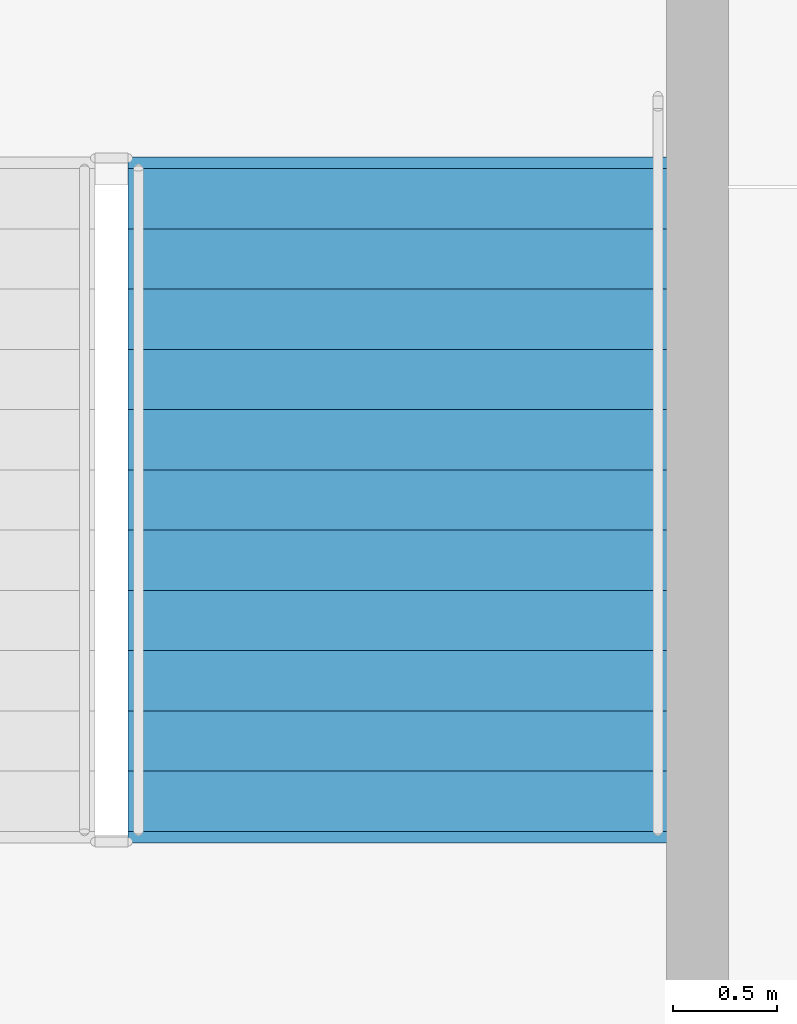
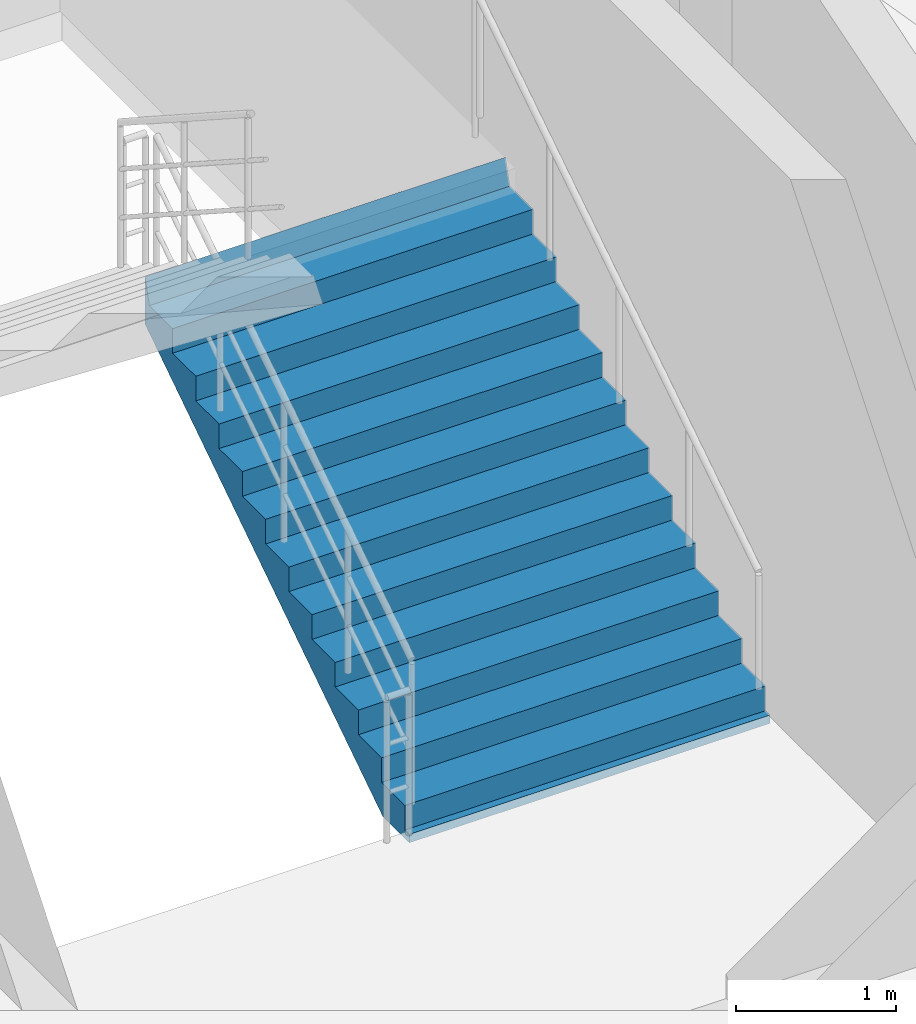
# One storey, part 99 of 112: 1 stair flight, 1 element without a shape of its own.
"""IFC4 building model written with IfcOpenShell, lengths in metres."""

from ifc_helpers import new_model, si_unit, direction, frame, origin, place, context, subcontext, project, spatial, polyline, outline, extrude, material, type_object, element, aggregate, save


model = new_model("IFC4")

# Units and contexts
model_context = context("Model", 3, precision=1e-05, world=origin(), true_north=direction((0.0, 1.0)))
body_context = subcontext(model_context, "Body", "Model", "MODEL_VIEW")
ifc_project = project(units=[si_unit("LENGTHUNIT", "METRE"), si_unit("AREAUNIT", "SQUARE_METRE"), si_unit("VOLUMEUNIT", "CUBIC_METRE"), si_unit("PLANEANGLEUNIT", "RADIAN"), si_unit("MASSUNIT", "GRAM", prefix="KILO")], contexts=[model_context])

# Site, building, storey
site_placement = place(None, origin())
site = spatial("IfcSite", under=ifc_project, at=site_placement, CompositionType="ELEMENT")
building_placement = place(site_placement, origin())
building = spatial("IfcBuilding", under=site, at=building_placement, Name="Cinderbank Siding Concert Hall", CompositionType="ELEMENT")
storey_placement = place(building_placement, frame((0.0, 0.0, 10.199951171875)))
storey = spatial("IfcBuildingStorey", under=building, at=storey_placement, Name="L03", CompositionType="ELEMENT", Elevation=10.199951171875)

# Stair, stair flight
ifc_material = material(Name="Reinforced concrete AS 3600 N50 (50 MPa)", Category="concrete")
stair_type = type_object("IfcStairType", Name="STR-B Dogleg Exit Stair 2600mm", PredefinedType="HALF_TURN_STAIR", material=ifc_material)
stair_placement = place(storey_placement, origin())
stair = element("IfcStair", 1, at=stair_placement, inside=storey, type_object=stair_type, Name="L03 Fire-isolated Exit Stair ST-03", PredefinedType="HALF_TURN_STAIR")
stair_flight_type = type_object("IfcStairFlightType", Name="SFL-B Concrete Stair Flight 2600mm", PredefinedType="STRAIGHT", material=ifc_material)
stair_flight_placement = place(storey_placement, frame((145.89990234375, 40.89990234375, 0.0), z_axis=(0.0, 0.0, 1.0), x_axis=(0.0, 1.0, 0.0)))
stair_flight = element("IfcStairFlight", 2, at=stair_flight_placement, type_object=stair_flight_type, Name="ST-03 flight 1", NumberOfRisers=12, NumberOfTreads=11, PredefinedType="STRAIGHT", RiserHeight=0.1875, TreadLength=0.29, context=body_context, shape_type="SweptSolid", body=[
    extrude(outline(polyline([(0.0, 0.0), (0.0, 0.1875), (0.2900390625, 0.1875), (0.2900390625, 0.375), (0.580078125, 0.375), (0.580078125, 0.5625), (0.8701171875, 0.5625), (0.8701171875, 0.75), (1.159912109375, 0.75), (1.159912109375, 0.9375), (1.449951171875, 0.9375), (1.449951171875, 1.125), (1.739990234375, 1.125), (1.739990234375, 1.3125), (2.030029296875, 1.3125), (2.030029296875, 1.5), (2.320068359375, 1.5), (2.320068359375, 1.6875), (2.610107421875, 1.6875), (2.610107421875, 1.875), (2.89990234375, 1.875), (2.89990234375, 2.0625), (3.18994140625, 2.0625), (3.244873046875, 2.25), (3.244873046875, 1.884033203125), (3.24462890625, 1.88427734375), (3.24462890625, 1.884521484375), (3.24462890625, 1.884765625), (3.24462890625, 1.885009765625), (3.24462890625, 1.88525390625), (3.24462890625, 1.885498046875), (3.24462890625, 1.8857421875), (3.24462890625, 1.885986328125), (3.24462890625, 1.88623046875), (3.24462890625, 1.886474609375), (3.24462890625, 1.88671875), (3.24462890625, 1.886962890625), (3.244384765625, 1.886962890625), (3.244384765625, 1.88671875), (3.244384765625, 1.886474609375), (3.244384765625, 1.88623046875), (3.244384765625, 1.885986328125), (3.244384765625, 1.8857421875), (3.244384765625, 1.885498046875), (3.244384765625, 1.88525390625), (3.244384765625, 1.885009765625), (3.244384765625, 1.884765625), (3.244384765625, 1.884521484375), (3.244384765625, 1.88427734375), (3.244384765625, 1.884033203125), (3.244140625, 1.88427734375), (3.244140625, 1.884521484375), (3.244140625, 1.884765625), (3.244140625, 1.885009765625), (3.244140625, 1.88525390625), (3.244140625, 1.885498046875), (3.244140625, 1.8857421875), (3.244140625, 1.885986328125), (3.244140625, 1.88623046875), (3.244140625, 1.886474609375), (3.244140625, 1.88671875), (3.244140625, 1.886962890625), (3.243896484375, 1.886962890625), (3.243896484375, 1.88671875), (3.243896484375, 1.886474609375), (3.243896484375, 1.88623046875), (3.243896484375, 1.885986328125), (3.243896484375, 1.8857421875), (3.243896484375, 1.885498046875), (3.243896484375, 1.88525390625), (3.243896484375, 1.885009765625), (3.243896484375, 1.884765625), (3.243896484375, 1.884521484375), (3.243896484375, 1.88427734375), (3.243896484375, 1.884033203125), (3.24365234375, 1.88427734375), (3.24365234375, 1.884521484375), (3.24365234375, 1.884765625), (3.24365234375, 1.885009765625), (3.24365234375, 1.88525390625), (3.24365234375, 1.885498046875), (3.24365234375, 1.8857421875), (3.24365234375, 1.885986328125), (3.24365234375, 1.88623046875), (3.24365234375, 1.886474609375), (3.24365234375, 1.88671875), (3.24365234375, 1.886962890625), (3.243408203125, 1.886962890625), (3.243408203125, 1.88671875), (3.243408203125, 1.886474609375), (3.243408203125, 1.88623046875), (3.243408203125, 1.885986328125), (3.243408203125, 1.8857421875), (3.243408203125, 1.885498046875), (3.243408203125, 1.88525390625), (3.243408203125, 1.885009765625), (3.243408203125, 1.884765625), (3.243408203125, 1.884521484375), (3.243408203125, 1.88427734375), (3.243408203125, 1.884033203125), (3.2431640625, 1.88427734375), (3.2431640625, 1.884521484375), (3.2431640625, 1.884765625), (3.2431640625, 1.885009765625), (3.2431640625, 1.88525390625), (3.2431640625, 1.885498046875), (3.2431640625, 1.8857421875), (3.2431640625, 1.885986328125), (3.2431640625, 1.88623046875), (3.2431640625, 1.886474609375), (3.2431640625, 1.88671875), (3.2431640625, 1.886962890625), (3.242919921875, 1.886962890625), (3.242919921875, 1.88671875), (3.242919921875, 1.886474609375), (3.242919921875, 1.88623046875), (3.242919921875, 1.885986328125), (3.242919921875, 1.8857421875), (3.242919921875, 1.885498046875), (3.242919921875, 1.88525390625), (3.242919921875, 1.885009765625), (3.242919921875, 1.884765625), (3.242919921875, 1.884521484375), (3.242919921875, 1.88427734375), (3.242919921875, 1.884033203125), (3.24267578125, 1.88427734375), (3.24267578125, 1.884521484375), (3.24267578125, 1.884765625), (3.24267578125, 1.885009765625), (3.24267578125, 1.88525390625), (3.24267578125, 1.885498046875), (3.24267578125, 1.8857421875), (3.24267578125, 1.885986328125), (3.24267578125, 1.88623046875), (3.24267578125, 1.886474609375), (3.24267578125, 1.88671875), (3.24267578125, 1.886962890625), (3.242431640625, 1.886962890625), (3.242431640625, 1.88671875), (3.242431640625, 1.886474609375), (3.242431640625, 1.88623046875), (3.242431640625, 1.885986328125), (3.242431640625, 1.8857421875), (3.242431640625, 1.885498046875), (3.242431640625, 1.88525390625), (3.242431640625, 1.885009765625), (3.242431640625, 1.884765625), (3.242431640625, 1.884521484375), (3.242431640625, 1.88427734375), (3.242431640625, 1.884033203125), (3.2421875, 1.88427734375), (3.2421875, 1.884521484375), (3.2421875, 1.884765625), (3.2421875, 1.885009765625), (3.2421875, 1.88525390625), (3.2421875, 1.885498046875), (3.2421875, 1.8857421875), (3.2421875, 1.885986328125), (3.2421875, 1.88623046875), (3.2421875, 1.886474609375), (3.2421875, 1.88671875), (3.2421875, 1.886962890625), (3.241943359375, 1.886962890625), (3.241943359375, 1.88671875), (3.241943359375, 1.886474609375), (3.241943359375, 1.88623046875), (3.241943359375, 1.885986328125), (3.241943359375, 1.8857421875), (3.241943359375, 1.885498046875), (3.241943359375, 1.88525390625), (3.241943359375, 1.885009765625), (3.241943359375, 1.884765625), (3.241943359375, 1.884521484375), (3.241943359375, 1.88427734375), (3.241943359375, 1.884033203125), (3.24169921875, 1.88427734375), (3.24169921875, 1.884521484375), (3.24169921875, 1.884765625), (3.24169921875, 1.885009765625), (3.24169921875, 1.88525390625), (3.24169921875, 1.885498046875), (3.24169921875, 1.8857421875), (3.24169921875, 1.885986328125), (3.24169921875, 1.88623046875), (3.24169921875, 1.886474609375), (3.24169921875, 1.88671875), (3.24169921875, 1.886962890625), (3.241455078125, 1.886962890625), (3.241455078125, 1.88671875), (3.241455078125, 1.886474609375), (3.241455078125, 1.88623046875), (3.241455078125, 1.885986328125), (3.241455078125, 1.8857421875), (3.241455078125, 1.885498046875), (3.241455078125, 1.88525390625), (3.241455078125, 1.885009765625), (3.241455078125, 1.884765625), (3.241455078125, 1.884521484375), (3.241455078125, 1.88427734375), (3.241455078125, 1.884033203125), (3.2412109375, 1.88427734375), (3.2412109375, 1.884521484375), (3.2412109375, 1.884765625), (3.2412109375, 1.885009765625), (3.2412109375, 1.88525390625), (3.2412109375, 1.885498046875), (3.2412109375, 1.8857421875), (3.2412109375, 1.885986328125), (3.2412109375, 1.88623046875), (3.2412109375, 1.886474609375), (3.2412109375, 1.88671875), (3.2412109375, 1.886962890625), (3.240966796875, 1.886962890625), (3.240966796875, 1.88671875), (3.240966796875, 1.886474609375), (3.240966796875, 1.88623046875), (3.240966796875, 1.885986328125), (3.240966796875, 1.8857421875), (3.240966796875, 1.885498046875), (3.240966796875, 1.88525390625), (3.240966796875, 1.885009765625), (3.240966796875, 1.884765625), (3.240966796875, 1.884521484375), (3.240966796875, 1.88427734375), (3.240966796875, 1.884033203125), (3.24072265625, 1.88427734375), (3.24072265625, 1.884521484375), (3.24072265625, 1.884765625), (3.24072265625, 1.885009765625), (3.24072265625, 1.88525390625), (3.24072265625, 1.885498046875), (3.24072265625, 1.8857421875), (3.24072265625, 1.885986328125), (3.24072265625, 1.88623046875), (3.24072265625, 1.886474609375), (3.24072265625, 1.88671875), (3.24072265625, 1.886962890625), (3.240478515625, 1.886962890625), (3.240478515625, 1.88671875), (3.240478515625, 1.886474609375), (3.240478515625, 1.88623046875), (3.240478515625, 1.885986328125), (3.240478515625, 1.8857421875), (3.240478515625, 1.885498046875), (3.240478515625, 1.88525390625), (3.240478515625, 1.885009765625), (3.240478515625, 1.884765625), (3.240478515625, 1.884521484375), (3.240478515625, 1.88427734375), (3.240478515625, 1.884033203125), (3.240234375, 1.88427734375), (3.240234375, 1.884521484375), (3.240234375, 1.884765625), (3.240234375, 1.885009765625), (3.240234375, 1.88525390625), (3.240234375, 1.885498046875), (3.240234375, 1.8857421875), (3.240234375, 1.885986328125), (3.240234375, 1.88623046875), (3.240234375, 1.886474609375), (3.240234375, 1.88671875), (3.240234375, 1.886962890625), (3.239990234375, 1.886962890625), (3.239990234375, 1.88671875), (3.239990234375, 1.886474609375), (3.239990234375, 1.88623046875), (3.239990234375, 1.885986328125), (3.239990234375, 1.8857421875), (3.239990234375, 1.885498046875), (3.239990234375, 1.88525390625), (3.239990234375, 1.885009765625), (3.239990234375, 1.884765625), (3.239990234375, 1.884521484375), (3.239990234375, 1.88427734375), (3.239990234375, 1.884033203125), (3.23974609375, 1.88427734375), (3.23974609375, 1.884521484375), (3.23974609375, 1.884765625), (3.23974609375, 1.885009765625), (3.23974609375, 1.88525390625), (3.23974609375, 1.885498046875), (3.23974609375, 1.8857421875), (3.23974609375, 1.885986328125), (3.23974609375, 1.88623046875), (3.23974609375, 1.886474609375), (3.23974609375, 1.88671875), (3.23974609375, 1.886962890625), (3.239501953125, 1.886962890625), (3.239501953125, 1.88671875), (3.239501953125, 1.886474609375), (3.239501953125, 1.88623046875), (3.239501953125, 1.885986328125), (3.239501953125, 1.8857421875), (3.239501953125, 1.885498046875), (3.239501953125, 1.88525390625), (3.239501953125, 1.885009765625), (3.239501953125, 1.884765625), (3.239501953125, 1.884521484375), (3.239501953125, 1.88427734375), (3.239501953125, 1.884033203125), (3.2392578125, 1.88427734375), (3.2392578125, 1.884521484375), (3.2392578125, 1.884765625), (3.2392578125, 1.885009765625), (3.2392578125, 1.88525390625), (3.2392578125, 1.885498046875), (3.2392578125, 1.8857421875), (3.2392578125, 1.885986328125), (3.2392578125, 1.88623046875), (3.2392578125, 1.886474609375), (3.2392578125, 1.88671875), (3.2392578125, 1.886962890625), (3.239013671875, 1.886962890625), (3.239013671875, 1.88671875), (3.239013671875, 1.886474609375), (3.239013671875, 1.88623046875), (3.239013671875, 1.885986328125), (3.239013671875, 1.8857421875), (3.239013671875, 1.885498046875), (3.239013671875, 1.88525390625), (3.239013671875, 1.885009765625), (3.239013671875, 1.884765625), (3.239013671875, 1.884521484375), (3.239013671875, 1.88427734375), (3.239013671875, 1.884033203125), (3.23876953125, 1.88427734375), (3.23876953125, 1.884521484375), (3.23876953125, 1.884765625), (3.23876953125, 1.885009765625), (3.23876953125, 1.88525390625), (3.23876953125, 1.885498046875), (3.23876953125, 1.8857421875), (3.23876953125, 1.885986328125), (3.23876953125, 1.88623046875), (3.23876953125, 1.886474609375), (3.23876953125, 1.88671875), (3.23876953125, 1.886962890625), (3.238525390625, 1.886962890625), (3.238525390625, 1.88671875), (3.238525390625, 1.886474609375), (3.238525390625, 1.88623046875), (3.238525390625, 1.885986328125), (3.238525390625, 1.8857421875), (3.238525390625, 1.885498046875), (3.238525390625, 1.88525390625), (3.238525390625, 1.885009765625), (3.238525390625, 1.884765625), (3.238525390625, 1.884521484375), (3.238525390625, 1.88427734375), (3.238525390625, 1.884033203125), (0.276123046875, -0.06396484375), (-0.048583984375, -0.063720703125), (-0.048583984375, -0.0634765625), (-0.048583984375, -0.063232421875), (-0.048583984375, -0.06298828125), (-0.048583984375, -0.062744140625), (-0.048583984375, -0.0625), (-0.048583984375, -0.062255859375), (-0.048583984375, -0.06201171875), (-0.048583984375, -0.061767578125), (-0.048583984375, -0.0615234375), (-0.048583984375, -0.061279296875), (-0.048583984375, -0.06103515625), (-0.048828125, -0.06103515625), (-0.048828125, -0.061279296875), (-0.048828125, -0.0615234375), (-0.048828125, -0.061767578125), (-0.048828125, -0.06201171875), (-0.048828125, -0.062255859375), (-0.048828125, -0.0625), (-0.048828125, -0.062744140625), (-0.048828125, -0.06298828125), (-0.048828125, -0.063232421875), (-0.048828125, -0.0634765625), (-0.048828125, -0.063720703125), (-0.048828125, -0.06396484375), (-0.049072265625, -0.063720703125), (-0.049072265625, -0.0634765625), (-0.049072265625, -0.063232421875), (-0.049072265625, -0.06298828125), (-0.049072265625, -0.062744140625), (-0.049072265625, -0.0625), (-0.049072265625, -0.062255859375), (-0.049072265625, -0.06201171875), (-0.049072265625, -0.061767578125), (-0.049072265625, -0.0615234375), (-0.049072265625, -0.061279296875), (-0.049072265625, -0.06103515625), (-0.04931640625, -0.06103515625), (-0.04931640625, -0.061279296875), (-0.04931640625, -0.0615234375), (-0.04931640625, -0.061767578125), (-0.04931640625, -0.06201171875), (-0.04931640625, -0.062255859375), (-0.04931640625, -0.0625), (-0.04931640625, -0.062744140625), (-0.04931640625, -0.06298828125), (-0.04931640625, -0.063232421875), (-0.04931640625, -0.0634765625), (-0.04931640625, -0.063720703125), (-0.04931640625, -0.06396484375), (-0.049560546875, -0.063720703125), (-0.049560546875, -0.0634765625), (-0.049560546875, -0.063232421875), (-0.049560546875, -0.06298828125), (-0.049560546875, -0.062744140625), (-0.049560546875, -0.0625), (-0.049560546875, -0.062255859375), (-0.049560546875, -0.06201171875), (-0.049560546875, -0.061767578125), (-0.049560546875, -0.0615234375), (-0.049560546875, -0.061279296875), (-0.049560546875, -0.06103515625), (-0.0498046875, -0.06103515625), (-0.0498046875, -0.061279296875), (-0.0498046875, -0.0615234375), (-0.0498046875, -0.061767578125), (-0.0498046875, -0.06201171875), (-0.0498046875, -0.062255859375), (-0.0498046875, -0.0625), (-0.0498046875, -0.062744140625), (-0.0498046875, -0.06298828125), (-0.0498046875, -0.063232421875), (-0.0498046875, -0.0634765625), (-0.0498046875, -0.063720703125), (-0.0498046875, -0.06396484375), (-0.050048828125, -0.063720703125), (-0.050048828125, -0.0634765625), (-0.050048828125, -0.063232421875), (-0.050048828125, -0.06298828125), (-0.050048828125, -0.062744140625), (-0.050048828125, -0.0625), (-0.050048828125, -0.062255859375), (-0.050048828125, -0.06201171875), (-0.050048828125, -0.061767578125), (-0.050048828125, -0.0615234375), (-0.050048828125, -0.061279296875), (-0.050048828125, -0.06103515625), (-0.05029296875, -0.06103515625), (-0.05029296875, -0.061279296875), (-0.05029296875, -0.0615234375), (-0.05029296875, -0.061767578125), (-0.05029296875, -0.06201171875), (-0.05029296875, -0.062255859375), (-0.05029296875, -0.0625), (-0.05029296875, -0.062744140625), (-0.05029296875, -0.06298828125), (-0.05029296875, -0.063232421875), (-0.05029296875, -0.0634765625), (-0.05029296875, -0.063720703125), (-0.05029296875, -0.06396484375), (-0.050537109375, -0.063720703125), (-0.050537109375, -0.0634765625), (-0.050537109375, -0.063232421875), (-0.050537109375, -0.06298828125), (-0.050537109375, -0.062744140625), (-0.050537109375, -0.0625), (-0.050537109375, -0.062255859375), (-0.050537109375, -0.06201171875), (-0.050537109375, -0.061767578125), (-0.050537109375, -0.0615234375), (-0.050537109375, -0.061279296875), (-0.050537109375, -0.06103515625), (-0.05078125, -0.06103515625), (-0.05078125, -0.061279296875), (-0.05078125, -0.0615234375), (-0.05078125, -0.061767578125), (-0.05078125, -0.06201171875), (-0.05078125, -0.062255859375), (-0.05078125, -0.0625), (-0.05078125, -0.062744140625), (-0.05078125, -0.06298828125), (-0.05078125, -0.063232421875), (-0.05078125, -0.0634765625), (-0.05078125, -0.063720703125), (-0.05078125, -0.06396484375), (-0.051025390625, -0.063720703125), (-0.051025390625, -0.0634765625), (-0.051025390625, -0.063232421875), (-0.051025390625, -0.06298828125), (-0.051025390625, -0.062744140625), (-0.051025390625, -0.0625), (-0.051025390625, -0.062255859375), (-0.051025390625, -0.06201171875), (-0.051025390625, -0.061767578125), (-0.051025390625, -0.0615234375), (-0.051025390625, -0.061279296875), (-0.051025390625, -0.06103515625), (-0.05126953125, -0.06103515625), (-0.05126953125, -0.061279296875), (-0.05126953125, -0.0615234375), (-0.05126953125, -0.061767578125), (-0.05126953125, -0.06201171875), (-0.05126953125, -0.062255859375), (-0.05126953125, -0.0625), (-0.05126953125, -0.062744140625), (-0.05126953125, -0.06298828125), (-0.05126953125, -0.063232421875), (-0.05126953125, -0.0634765625), (-0.05126953125, -0.063720703125), (-0.05126953125, -0.06396484375), (-0.051513671875, -0.063720703125), (-0.051513671875, -0.0634765625), (-0.051513671875, -0.063232421875), (-0.051513671875, -0.06298828125), (-0.051513671875, -0.062744140625), (-0.051513671875, -0.0625), (-0.051513671875, -0.062255859375), (-0.051513671875, -0.06201171875), (-0.051513671875, -0.061767578125), (-0.051513671875, -0.0615234375), (-0.051513671875, -0.061279296875), (-0.051513671875, -0.06103515625), (-0.0517578125, -0.06103515625), (-0.0517578125, -0.061279296875), (-0.0517578125, -0.0615234375), (-0.0517578125, -0.061767578125), (-0.0517578125, -0.06201171875), (-0.0517578125, -0.062255859375), (-0.0517578125, -0.0625), (-0.0517578125, -0.062744140625), (-0.0517578125, -0.06298828125), (-0.0517578125, -0.063232421875), (-0.0517578125, -0.0634765625), (-0.0517578125, -0.063720703125), (-0.0517578125, -0.06396484375), (-0.052001953125, -0.063720703125), (-0.052001953125, -0.0634765625), (-0.052001953125, -0.063232421875), (-0.052001953125, -0.06298828125), (-0.052001953125, -0.062744140625), (-0.052001953125, -0.0625), (-0.052001953125, -0.062255859375), (-0.052001953125, -0.06201171875), (-0.052001953125, -0.061767578125), (-0.052001953125, -0.0615234375), (-0.052001953125, -0.061279296875), (-0.052001953125, -0.06103515625), (-0.05224609375, -0.06103515625), (-0.05224609375, -0.061279296875), (-0.05224609375, -0.0615234375), (-0.05224609375, -0.061767578125), (-0.05224609375, -0.06201171875), (-0.05224609375, -0.062255859375), (-0.05224609375, -0.0625), (-0.05224609375, -0.062744140625), (-0.05224609375, -0.06298828125), (-0.05224609375, -0.063232421875), (-0.05224609375, -0.0634765625), (-0.05224609375, -0.063720703125), (-0.05224609375, -0.06396484375), (-0.052490234375, -0.063720703125), (-0.052490234375, -0.0634765625), (-0.052490234375, -0.063232421875), (-0.052490234375, -0.06298828125), (-0.052490234375, -0.062744140625), (-0.052490234375, -0.0625), (-0.052490234375, -0.062255859375), (-0.052490234375, -0.06201171875), (-0.052490234375, -0.061767578125), (-0.052490234375, -0.0615234375), (-0.052490234375, -0.061279296875), (-0.052490234375, -0.06103515625), (-0.052734375, -0.06103515625), (-0.052734375, -0.061279296875), (-0.052734375, -0.0615234375), (-0.052734375, -0.061767578125), (-0.052734375, -0.06201171875), (-0.052734375, -0.062255859375), (-0.052734375, -0.0625), (-0.052734375, -0.062744140625), (-0.052734375, -0.06298828125), (-0.052734375, -0.063232421875), (-0.052734375, -0.0634765625), (-0.052734375, -0.063720703125), (-0.052734375, -0.06396484375), (-0.052978515625, -0.063720703125), (-0.052978515625, -0.0634765625), (-0.052978515625, -0.063232421875), (-0.052978515625, -0.06298828125), (-0.052978515625, -0.062744140625), (-0.052978515625, -0.0625), (-0.052978515625, -0.062255859375), (-0.052978515625, -0.06201171875), (-0.052978515625, -0.061767578125), (-0.052978515625, -0.0615234375), (-0.052978515625, -0.061279296875), (-0.052978515625, -0.06103515625), (-0.05322265625, -0.06103515625), (-0.05322265625, -0.061279296875), (-0.05322265625, -0.0615234375), (-0.05322265625, -0.061767578125), (-0.05322265625, -0.06201171875), (-0.05322265625, -0.062255859375), (-0.05322265625, -0.0625), (-0.05322265625, -0.062744140625), (-0.05322265625, -0.06298828125), (-0.05322265625, -0.063232421875), (-0.05322265625, -0.0634765625), (-0.05322265625, -0.063720703125), (-0.05322265625, -0.06396484375), (-0.053466796875, -0.063720703125), (-0.053466796875, -0.0634765625), (-0.053466796875, -0.063232421875), (-0.053466796875, -0.06298828125), (-0.053466796875, -0.062744140625), (-0.053466796875, -0.0625), (-0.053466796875, -0.062255859375), (-0.053466796875, -0.06201171875), (-0.053466796875, -0.061767578125), (-0.053466796875, -0.0615234375), (-0.053466796875, -0.061279296875), (-0.053466796875, -0.06103515625), (-0.0537109375, -0.06103515625), (-0.0537109375, -0.061279296875), (-0.0537109375, -0.0615234375), (-0.0537109375, -0.061767578125), (-0.0537109375, -0.06201171875), (-0.0537109375, -0.062255859375), (-0.0537109375, -0.0625), (-0.0537109375, -0.062744140625), (-0.0537109375, -0.06298828125), (-0.0537109375, -0.063232421875), (-0.0537109375, -0.0634765625), (-0.0537109375, -0.063720703125), (-0.0537109375, -0.06396484375), (-0.053955078125, -0.063720703125), (-0.053955078125, -0.0634765625), (-0.053955078125, -0.063232421875), (-0.053955078125, -0.06298828125), (-0.053955078125, -0.062744140625), (-0.053955078125, -0.0625), (-0.053955078125, -0.062255859375), (-0.053955078125, -0.06201171875), (-0.053955078125, -0.061767578125), (-0.053955078125, -0.0615234375), (-0.053955078125, -0.061279296875), (-0.053955078125, -0.06103515625), (-0.05419921875, -0.06103515625), (-0.05419921875, -0.061279296875), (-0.05419921875, -0.0615234375), (-0.05419921875, -0.061767578125), (-0.05419921875, -0.06201171875), (-0.05419921875, -0.062255859375), (-0.05419921875, -0.0625), (-0.05419921875, -0.062744140625), (-0.05419921875, -0.06298828125), (-0.05419921875, -0.063232421875), (-0.05419921875, -0.0634765625), (-0.05419921875, -0.063720703125), (-0.05419921875, -0.06396484375), (-0.054443359375, -0.063720703125), (-0.054443359375, -0.0634765625), (-0.054443359375, -0.063232421875), (-0.054443359375, -0.06298828125), (-0.054443359375, -0.062744140625), (-0.054443359375, -0.0625), (-0.054443359375, -0.062255859375), (-0.054443359375, -0.06201171875), (-0.054443359375, -0.061767578125), (-0.054443359375, -0.0615234375), (-0.054443359375, -0.061279296875), (-0.054443359375, -0.06103515625), (-0.0546875, -0.06103515625), (-0.0546875, -0.061279296875), (-0.0546875, -0.0615234375), (-0.0546875, -0.061767578125), (-0.0546875, -0.06201171875), (-0.0546875, -0.062255859375), (-0.0546875, -0.0625), (-0.0546875, -0.062744140625), (-0.0546875, -0.06298828125), (-0.0546875, -0.063232421875), (-0.0546875, -0.0634765625), (-0.0546875, -0.063720703125), (-0.0546875, -0.06396484375), (-0.054931640625, -0.06396484375), (-0.054931640625, 0.0), (0.0, 0.0)])), frame((0.0, 1.300048828125, 0.0), z_axis=(0.0, -1.0, 0.0), x_axis=(1.0, 0.0, 0.0)), (0.0, 0.0, 1.0), 2.60009765625),
])
aggregate(stair, [stair_flight])

save(model, "model.ifc")
